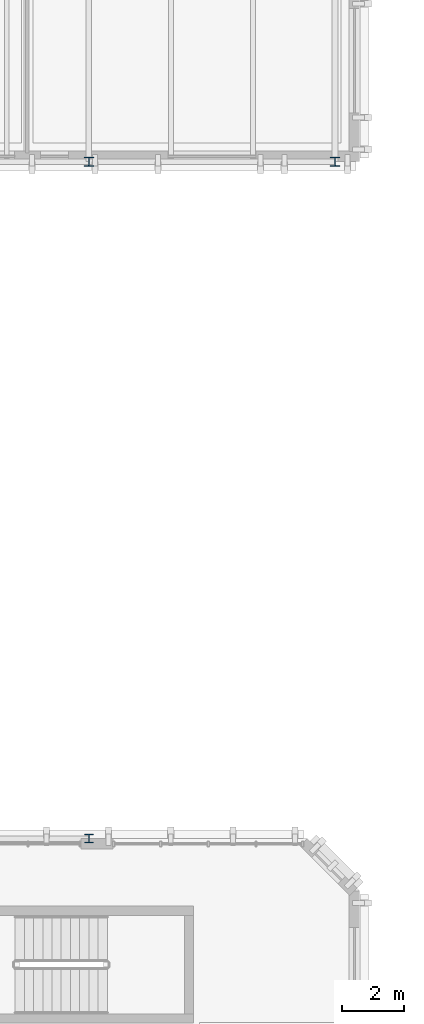
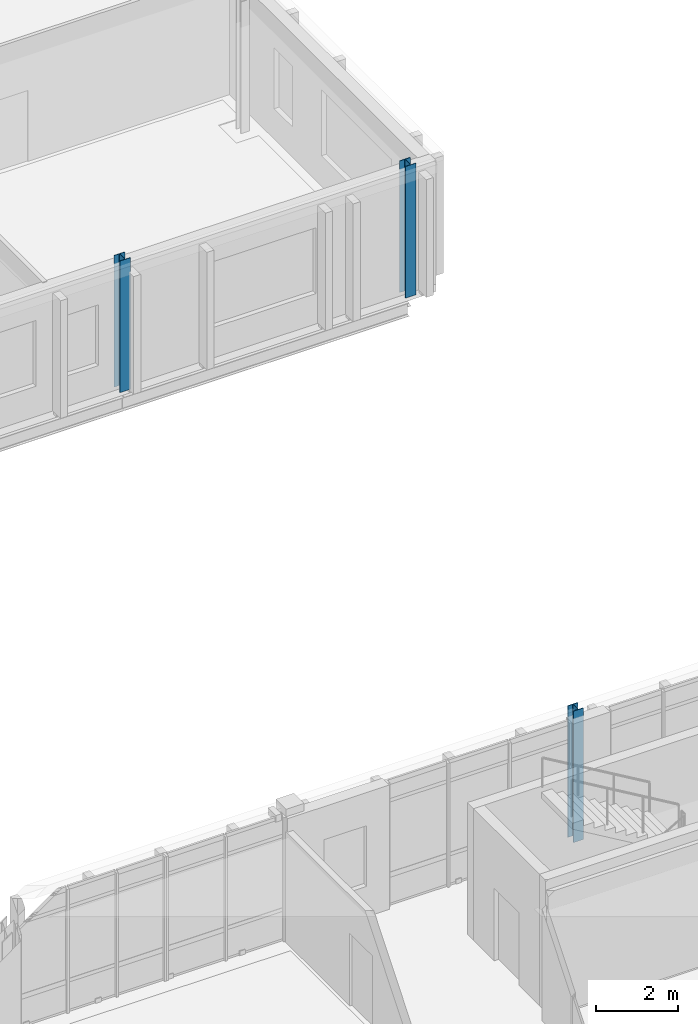
# One storey, part 3 of 40: 3 columns.
"""IFC4 building model written with IfcOpenShell, lengths in metres."""

import ifcopenshell
import ifcopenshell.guid

model = None  # the IFC model being written
_history = None  # IfcOwnerHistory: only IFC2X3 demands one
_inside = {}  # id of a spatial element -> (the spatial element, [elements in it])
_under = {}  # id of a project, library or spatial element -> (it, [spatial elements below it])
_declared = {}  # id of a project -> (the project, [libraries it declares])
_typed = {}  # id of a type object -> (the type object, [elements of that type])
_made_of = {}  # id of a material, layer set ... -> (it, [elements and type objects made of it])


def new_model(schema):
    """Start an empty IFC model of exactly this schema.

    Asked for "IFC4X3", IfcOpenShell would pick the latest addendum, in which some entities
    have other attributes; the version numbers below select the first issue.
    IFC2X3 requires an IfcOwnerHistory on every rooted entity: one is made here for all.
    """
    global model, _history
    if schema == "IFC4X3":
        model = ifcopenshell.file(schema_version=(4, 3, 0, 0))
    else:
        model = ifcopenshell.file(schema=schema)
    _inside.clear()
    _under.clear()
    _declared.clear()
    _typed.clear()
    _made_of.clear()
    _history = None
    if model.schema == "IFC2X3":
        org = make("IfcOrganization", Name="unknown")
        user = make(
            "IfcPersonAndOrganization",
            ThePerson=make("IfcPerson", FamilyName="unknown"),
            TheOrganization=org,
        )
        app = make(
            "IfcApplication",
            ApplicationDeveloper=org,
            Version="unknown",
            ApplicationFullName="unknown",
            ApplicationIdentifier="unknown",
        )
        _history = make(
            "IfcOwnerHistory",
            OwningUser=user,
            OwningApplication=app,
            ChangeAction="ADDED",
            CreationDate=0,
        )
    return model


def make(cls, **values):
    """One entity of the class cls with the attributes given. An attribute that is None is left unset."""
    return model.create_entity(
        cls, **{name: value for name, value in values.items() if value is not None}
    )


def rooted(cls, **values):
    """An entity with a GlobalId (a new one), such as an element, a storey or a relation."""
    return make(cls, GlobalId=ifcopenshell.guid.new(), OwnerHistory=_history, **values)


def si_unit(unit_type, name, prefix=None):
    """IfcSIUnit, for example si_unit("LENGTHUNIT", "METRE", prefix="MILLI")."""
    return make("IfcSIUnit", UnitType=unit_type, Prefix=prefix, Name=name)


def assignment(units):
    """IfcUnitAssignment: the units of a project."""
    return None if units is None else make("IfcUnitAssignment", Units=units)


def point(xyz):
    """IfcCartesianPoint."""
    return None if xyz is None else make("IfcCartesianPoint", Coordinates=xyz)


def direction(xyz):
    """IfcDirection."""
    return None if xyz is None else make("IfcDirection", DirectionRatios=xyz)


def frame(location, z_axis=None, x_axis=None):
    """IfcAxis2Placement3D, a coordinate frame: its origin and axes. An axis left out is left unset."""
    return make(
        "IfcAxis2Placement3D",
        Location=point(location),
        Axis=direction(z_axis),
        RefDirection=direction(x_axis),
    )


def frame_2d(location, x_axis=None):
    """IfcAxis2Placement2D, a coordinate frame in the plane: its origin and x axis."""
    return make(
        "IfcAxis2Placement2D", Location=point(location), RefDirection=direction(x_axis)
    )


def origin():
    """The frame at (0, 0, 0) with its axes left unset."""
    return frame((0.0, 0.0, 0.0))


def origin_2d():
    """The frame at (0, 0) in the plane with its x axis left unset."""
    return frame_2d((0.0, 0.0))


def place(relative_to, where):
    """IfcLocalPlacement: puts the frame where relative to a parent placement (None: the world)."""
    return make(
        "IfcLocalPlacement", PlacementRelTo=relative_to, RelativePlacement=where
    )


def context(
    kind, dimensions, precision=None, world=None, true_north=None, identifier=None
):
    """IfcGeometricRepresentationContext, for example the 3D "Model" context."""
    return make(
        "IfcGeometricRepresentationContext",
        ContextIdentifier=identifier,
        ContextType=kind,
        CoordinateSpaceDimension=dimensions,
        Precision=precision,
        WorldCoordinateSystem=world,
        TrueNorth=true_north,
    )


def subcontext(parent, identifier, kind, view, scale=None):
    """IfcGeometricRepresentationSubContext, for example "Body" below "Model"."""
    return make(
        "IfcGeometricRepresentationSubContext",
        ContextIdentifier=identifier,
        ContextType=kind,
        ParentContext=parent,
        TargetScale=scale,
        TargetView=view,
    )


def project(units=None, contexts=None):
    """IfcProject with its units and contexts."""
    return rooted(
        "IfcProject",
        Name="project",
        RepresentationContexts=contexts,
        UnitsInContext=assignment(units),
    )


def spatial(cls, under=None, at=None, **own):
    """A site, building, storey or space (cls), placed at a placement, below another one or the project."""
    s = rooted(cls, ObjectPlacement=at, **own)
    if under is not None:
        _under.setdefault(under.id(), (under, []))[1].append(s)
    return s


def profile(cls, at=None, kind="AREA", **sizes):
    """A parametric profile (cls). Its sizes go by their IFC names, for example OverallWidth=200.0."""
    return make(cls, ProfileType=kind, Position=at, **sizes)


def i_section(**sizes):
    """IfcIShapeProfileDef."""
    return profile("IfcIShapeProfileDef", **sizes)


def extrude(swept, where, along, depth):
    """IfcExtrudedAreaSolid: the profile swept, set in the frame where, extruded along a direction by depth."""
    return make(
        "IfcExtrudedAreaSolid",
        SweptArea=swept,
        Position=where,
        ExtrudedDirection=direction(along),
        Depth=depth,
    )


def shape(context_of_items, identifier, shape_type, items):
    """IfcShapeRepresentation: the items that make up one representation, for example the "Body"."""
    return make(
        "IfcShapeRepresentation",
        ContextOfItems=context_of_items,
        RepresentationIdentifier=identifier,
        RepresentationType=shape_type,
        Items=items,
    )


def material(Name=None, Category=None):
    """IfcMaterial."""
    return make("IfcMaterial", Name=Name, Category=Category)


def material_profile(
    of_material, cross_section, Name=None, Category=None, Priority=None
):
    """IfcMaterialProfile: a cross section and its material."""
    return make(
        "IfcMaterialProfile",
        Name=Name,
        Material=of_material,
        Profile=cross_section,
        Priority=Priority,
        Category=Category,
    )


def profile_set(profiles, Name=None, composite=None):
    """IfcMaterialProfileSet."""
    return make(
        "IfcMaterialProfileSet",
        Name=Name,
        MaterialProfiles=profiles,
        CompositeProfile=composite,
    )


def made_of(thing, what):
    """Note that an element or type object is made of a material, layer set ...; save() writes the relation."""
    if what is not None:
        _made_of.setdefault(what.id(), (what, []))[1].append(thing)
    return thing


def type_object(cls, material=None, **own):
    """A type object (cls), such as IfcWallType, which elements share."""
    return made_of(rooted(cls, **own), material)


def element(
    cls,
    number,
    at=None,
    inside=None,
    cuts=None,
    type_object=None,
    material=None,
    context=None,
    identifier="Body",
    shape_type=None,
    held_by="IfcProductDefinitionShape",
    body=None,
    shapes=None,
    **own,
):
    """One element of the class cls, such as IfcWall. Its Tag is "e" and its number.

    at: its placement. inside: the storey or other place that contains it. cuts: it is an
    opening in that element (IfcRelVoidsElement). A single representation is given by context,
    identifier, shape_type and body (its items); several are given by shapes. held_by: the class
    of the entity that holds the representations. save() writes the other relations.
    """
    e = rooted(cls, Tag="e%d" % number, ObjectPlacement=at, **own)
    if body is not None:
        shapes = [shape(context, identifier, shape_type, body)]
    if shapes is not None:
        e.Representation = make(held_by, Representations=shapes)
    if inside is not None:
        _inside.setdefault(inside.id(), (inside, []))[1].append(e)
    if cuts is not None:
        rooted(
            "IfcRelVoidsElement", RelatingBuildingElement=cuts, RelatedOpeningElement=e
        )
    if type_object is not None:
        _typed.setdefault(type_object.id(), (type_object, []))[1].append(e)
    return made_of(e, material)


def aggregate(whole, parts):
    """IfcRelAggregates: a whole, such as a stair, and the parts it consists of."""
    return rooted("IfcRelAggregates", RelatingObject=whole, RelatedObjects=parts)


def save(model, path):
    """Write the relations noted so far, then the file.

    IfcRelAggregates (storeys below a building ...), IfcRelContainedInSpatialStructure (elements
    in a storey), IfcRelDefinesByType, IfcRelAssociatesMaterial and IfcRelDeclares: one each for
    every whole, place, type object, material and project.
    """
    for whole, parts in _under.values():
        aggregate(whole, parts)
    for where, things in _inside.values():
        rooted(
            "IfcRelContainedInSpatialStructure",
            RelatedElements=things,
            RelatingStructure=where,
        )
    for kind, things in _typed.values():
        rooted("IfcRelDefinesByType", RelatedObjects=things, RelatingType=kind)
    for what, things in _made_of.values():
        rooted("IfcRelAssociatesMaterial", RelatedObjects=things, RelatingMaterial=what)
    for by, libraries in _declared.values():
        rooted("IfcRelDeclares", RelatingContext=by, RelatedDefinitions=libraries)
    model.write(path)


model = new_model("IFC4")

# Units and contexts
model_context = context("Model", 3, precision=1e-05, world=origin(), true_north=direction((0.0, 1.0)))
body_context = subcontext(model_context, "Body", "Model", "MODEL_VIEW")
ifc_project = project(units=[si_unit("LENGTHUNIT", "METRE"), si_unit("AREAUNIT", "SQUARE_METRE"), si_unit("VOLUMEUNIT", "CUBIC_METRE"), si_unit("PLANEANGLEUNIT", "RADIAN"), si_unit("MASSUNIT", "GRAM", prefix="KILO")], contexts=[model_context])

# Site, building, storey
site_placement = place(None, origin())
site = spatial("IfcSite", under=ifc_project, at=site_placement, CompositionType="ELEMENT")
building_placement = place(site_placement, origin())
building = spatial("IfcBuilding", under=site, at=building_placement, Name="Cymarion Research Institute", CompositionType="ELEMENT")
storey_placement = place(building_placement, frame((0.0, 0.0, 26.699951171875)))
storey = spatial("IfcBuildingStorey", under=building, at=storey_placement, Name="L06", CompositionType="ELEMENT", Elevation=26.699951171875)

# Columns
ifc_material = material(Name="Steel S355", Category="steel")
ifc_material_profile_1 = material_profile(ifc_material, i_section(OverallWidth=0.280029296875, OverallDepth=0.280029296875, WebThickness=0.010498046875, FlangeThickness=0.01806640625, FilletRadius=0.02392578125, at=origin_2d()), Name="HEB 280")
ifc_profile_set_1 = profile_set([ifc_material_profile_1], Name="Steel S355")
column_type_1 = type_object("IfcColumnType", Name="STRUCTURAL COLUMN C09 HEB 280", PredefinedType="COLUMN", material=ifc_profile_set_1)
column_placement = place(storey_placement, frame((38.60009765625, 71.5, 0.0), z_axis=(0.0, 0.0, 1.0), x_axis=(1.0, 0.0, 0.0)))
element("IfcColumn", 1, at=column_placement, inside=storey, type_object=column_type_1, Name="L06 V4 column C09 #1207", PredefinedType="COLUMN", context=body_context, shape_type="SweptSolid", body=[
    extrude(i_section(OverallWidth=0.280029296875, OverallDepth=0.280029296875, WebThickness=0.010498046875, FlangeThickness=0.01806640625, FilletRadius=0.02392578125, at=origin_2d()), origin(), (0.0, 0.0, 1.0), 3.900146484375),
])
ifc_material_profile_2 = material_profile(ifc_material, i_section(OverallWidth=0.300048828125, OverallDepth=0.2900390625, WebThickness=0.008544921875, FlangeThickness=0.013916015625, FilletRadius=0.027099609375, at=origin_2d()), Name="HEA 300")
ifc_profile_set_2 = profile_set([ifc_material_profile_2], Name="Steel S355")
column_type_2 = type_object("IfcColumnType", Name="STRUCTURAL COLUMN C13 HEA 300", PredefinedType="COLUMN", material=ifc_profile_set_2)
for number, where, z_axis, x_axis, name in (
    (2, (38.60009765625, 93.5, 0.0), (0.0, 0.0, 1.0), (1.0, 0.0, 0.0), "L06 V5 column C13 #1208"),
    (3, (46.60009765625, 93.5, 0.0), (0.0, 0.0, 1.0), (1.0, 0.0, 0.0), "L06 V5 column C13 #1215"),
):
    element("IfcColumn", number, at=place(storey_placement, frame(where, z_axis=z_axis, x_axis=x_axis)), inside=storey, type_object=column_type_2, Name=name, PredefinedType="COLUMN", context=body_context, shape_type="SweptSolid", body=[
        extrude(i_section(OverallWidth=0.300048828125, OverallDepth=0.2900390625, WebThickness=0.008544921875, FlangeThickness=0.013916015625, FilletRadius=0.027099609375, at=origin_2d()), origin(), (0.0, 0.0, 1.0), 3.900146484375),
    ])

save(model, "model.ifc")
